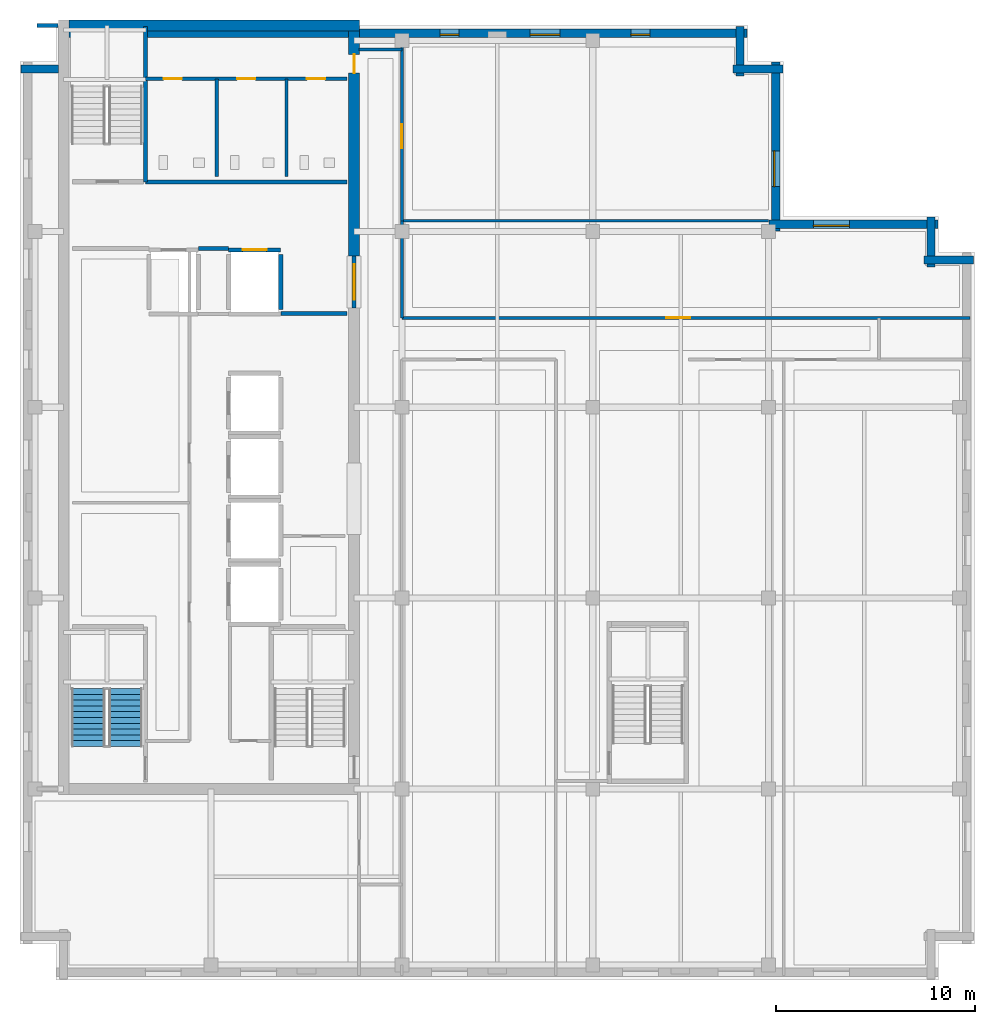
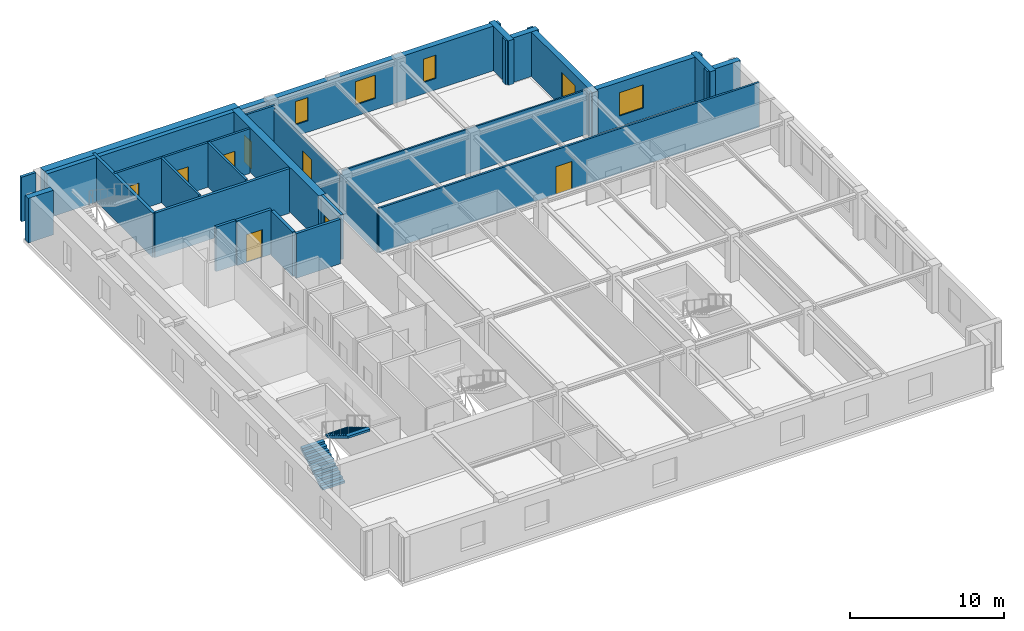
# One storey, part 5 of 11: 26 walls, 8 doors, 5 windows, 2 stair flights, 13 openings, 1 element without a shape of its own.
"""IFC4 building model written with IfcOpenShell, lengths in metres."""

from ifc_helpers import new_model, si_unit, direction, frame, frame_2d, origin, place, context, subcontext, project, spatial, polyline, rectangle, outline, extrude, material, layer, layer_set, type_object, element, fill, aggregate, save


model = new_model("IFC4")

# Units and contexts
model_context = context("Model", 3, precision=1e-05, world=origin(), true_north=direction((0.0, 1.0)))
body_context = subcontext(model_context, "Body", "Model", "MODEL_VIEW")
ifc_project = project(units=[si_unit("LENGTHUNIT", "METRE"), si_unit("AREAUNIT", "SQUARE_METRE"), si_unit("VOLUMEUNIT", "CUBIC_METRE"), si_unit("PLANEANGLEUNIT", "RADIAN"), si_unit("MASSUNIT", "GRAM", prefix="KILO")], contexts=[model_context])

# Site, building, storey
site_placement = place(None, origin())
site = spatial("IfcSite", under=ifc_project, at=site_placement, CompositionType="ELEMENT")
building_placement = place(site_placement, origin())
building = spatial("IfcBuilding", under=site, at=building_placement, Name="Norrvale University Quadrangle", CompositionType="ELEMENT")
storey_placement = place(building_placement, frame((0.0, 0.0, 300.0)))
storey = spatial("IfcBuildingStorey", under=building, at=storey_placement, Name="L76", CompositionType="ELEMENT", Elevation=300.0)

# Walls
ifc_material_1 = material(Name="Buff Norman Clay Brick Masonry", Category="masonry")
ifc_layer_1 = layer(ifc_material_1, 0.419921875, Name="Buff Norman Clay Brick Masonry")
ifc_layer_set_1 = layer_set([ifc_layer_1], Name="Buff Norman Clay Brick Masonry")
wall_type_1 = type_object("IfcWallType", Name="Wall Buff Brick 420", PredefinedType="SOLIDWALL", material=ifc_layer_set_1)
for number, where, z_axis, x_axis, name in (
    (1, (47.9599609375, 36.2099609375, 0.0), (0.0, 0.0, 1.0), (-1.0, 0.0, 0.0), "Exterior Brick Facade Wall L76-05.1"),
    (2, (45.81005859375, 35.860107421875, 0.0), (0.0, 0.0, 1.0), (0.0, 1.0, 0.0), "Exterior Brick Facade Wall L76-06.1"),
):
    element("IfcWall", number, at=place(storey_placement, frame(where, z_axis=z_axis, x_axis=x_axis)), inside=storey, type_object=wall_type_1, Name=name, PredefinedType="SOLIDWALL", context=body_context, shape_type="SweptSolid", body=[
        extrude(rectangle(XDim=2.5, YDim=0.419921875, at=frame_2d((1.25, 0.0))), origin(), (0.0, 0.0, 1.0), 3.5400390625),
    ])

# Wall, opening, window
wall_1_placement = place(storey_placement, frame((46.159912109375, 38.010009765625, 0.0), z_axis=(0.0, 0.0, 1.0), x_axis=(-1.0, 0.0, 0.0)))
wall_1 = element("IfcWall", 3, at=wall_1_placement, inside=storey, type_object=wall_type_1, Name="Exterior Brick Facade Wall L76-07.1", PredefinedType="SOLIDWALL", context=body_context, shape_type="SweptSolid", body=[
    extrude(rectangle(XDim=8.5, YDim=0.419921875, at=frame_2d((4.25, 0.0))), origin(), (0.0, 0.0, 1.0), 3.5400390625),
])
opening_1_placement = place(wall_1_placement, frame((4.4599609375, 0.0, 0.85009765625)))
opening_1 = element("IfcOpeningElement", 4, at=opening_1_placement, cuts=wall_1, Name="Opening W01", PredefinedType="OPENING", context=body_context, shape_type="SweptSolid", body=[
    extrude(rectangle(XDim=1.800048828125, YDim=1.85009765625, at=frame_2d((0.89990234375, 0.925048828125))), frame((0.0, 0.221923828125, 0.0), z_axis=(0.0, -1.0, 0.0), x_axis=(1.0, 0.0, 0.0)), (0.0, 0.0, 1.0), 0.44384765625),
])
ifc_material_2 = material(Name="Triple Low-E Argon Glazing", Category="glass")
window_type_1 = type_object("IfcWindowType", Name="Window Academic 1800x2300", PartitioningType="DOUBLE_PANEL_VERTICAL", PredefinedType="WINDOW", material=ifc_material_2)
window_1_placement = place(opening_1_placement, origin())
window_1 = element("IfcWindow", 5, at=window_1_placement, inside=storey, type_object=window_type_1, Name="Window Academic 1800x2300 WIN-L76-E07-1-01", OverallHeight=1.85009765625, OverallWidth=1.800048828125, PartitioningType="DOUBLE_PANEL_VERTICAL", PredefinedType="WINDOW", context=body_context, shape_type="SweptSolid", body=[
    extrude(rectangle(XDim=1.800048828125, YDim=1.85009765625, at=frame_2d((0.89990234375, 0.925048828125))), frame((0.0, 0.110107421875, 0.0), z_axis=(0.0, -1.0, 0.0), x_axis=(1.0, 0.0, 0.0)), (0.0, 0.0, 1.0), 0.06005859375),
])
fill(opening_1, window_1)

wall_2_placement = place(storey_placement, frame((38.010009765625, 37.659912109375, 0.0), z_axis=(0.0, 0.0, 1.0), x_axis=(0.0, 1.0, 0.0)))
wall_2 = element("IfcWall", 6, at=wall_2_placement, inside=storey, type_object=wall_type_1, Name="Exterior Brick Facade Wall L76-08.1", PredefinedType="SOLIDWALL", context=body_context, shape_type="SweptSolid", body=[
    extrude(rectangle(XDim=8.5, YDim=0.419921875, at=frame_2d((4.25, 0.0))), origin(), (0.0, 0.0, 1.0), 3.5400390625),
])
opening_2_placement = place(wall_2_placement, frame((2.239990234375, 0.0, 0.85009765625)))
opening_2 = element("IfcOpeningElement", 7, at=opening_2_placement, cuts=wall_2, Name="Opening W01", PredefinedType="OPENING", context=body_context, shape_type="SweptSolid", body=[
    extrude(rectangle(XDim=1.800048828125, YDim=1.85009765625, at=frame_2d((0.89990234375, 0.925048828125))), frame((0.0, 0.221923828125, 0.0), z_axis=(0.0, -1.0, 0.0), x_axis=(1.0, 0.0, 0.0)), (0.0, 0.0, 1.0), 0.44384765625),
])
window_2_placement = place(opening_2_placement, origin())
window_2 = element("IfcWindow", 8, at=window_2_placement, inside=storey, type_object=window_type_1, Name="Window Academic 1800x2300 WIN-L76-E08-1-01", OverallHeight=1.85009765625, OverallWidth=1.800048828125, PartitioningType="DOUBLE_PANEL_VERTICAL", PredefinedType="WINDOW", context=body_context, shape_type="SweptSolid", body=[
    extrude(rectangle(XDim=1.800048828125, YDim=1.85009765625, at=frame_2d((0.89990234375, 0.925048828125))), frame((0.0, 0.110107421875, 0.0), z_axis=(0.0, -1.0, 0.0), x_axis=(1.0, 0.0, 0.0)), (0.0, 0.0, 1.0), 0.06005859375),
])
fill(opening_2, window_2)

# Walls
for number, where, z_axis, x_axis, name in (
    (9, (38.360107421875, 45.81005859375, 0.0), (0.0, 0.0, 1.0), (-1.0, 0.0, 0.0), "Exterior Brick Facade Wall L76-09.1"),
    (10, (36.2099609375, 45.4599609375, 0.0), (0.0, 0.0, 1.0), (0.0, 1.0, 0.0), "Exterior Brick Facade Wall L76-10.1"),
):
    element("IfcWall", number, at=place(storey_placement, frame(where, z_axis=z_axis, x_axis=x_axis)), inside=storey, type_object=wall_type_1, Name=name, PredefinedType="SOLIDWALL", context=body_context, shape_type="SweptSolid", body=[
        extrude(rectangle(XDim=2.5, YDim=0.419921875, at=frame_2d((1.25, 0.0))), origin(), (0.0, 0.0, 1.0), 3.5400390625),
    ])

# Wall, openings, windows
wall_3_placement = place(storey_placement, frame((36.56005859375, 47.610107421875, 0.0), z_axis=(0.0, 0.0, 1.0), x_axis=(-1.0, 0.0, 0.0)))
wall_3 = element("IfcWall", 11, at=wall_3_placement, inside=storey, type_object=wall_type_1, Name="Exterior Brick Facade Wall L76-11.1", PredefinedType="SOLIDWALL", context=body_context, shape_type="SweptSolid", body=[
    extrude(rectangle(XDim=34.0849609375, YDim=0.419921875, at=frame_2d((17.04248046875, 0.0))), origin(), (0.0, 0.0, 1.0), 3.5400390625),
])
opening_3_placement = place(wall_3_placement, frame((4.885009765625, 0.0, 0.89990234375)))
opening_3 = element("IfcOpeningElement", 12, at=opening_3_placement, cuts=wall_3, Name="Opening W04", PredefinedType="OPENING", context=body_context, shape_type="SweptSolid", body=[
    extrude(rectangle(XDim=0.949951171875, YDim=1.85009765625, at=frame_2d((0.47509765625, 0.925048828125))), frame((0.0, 0.221923828125, 0.0), z_axis=(0.0, -1.0, 0.0), x_axis=(1.0, 0.0, 0.0)), (0.0, 0.0, 1.0), 0.44384765625),
])
opening_4_placement = place(wall_3_placement, frame((9.409912109375, 0.0, 0.89990234375)))
opening_4 = element("IfcOpeningElement", 13, at=opening_4_placement, cuts=wall_3, Name="Opening W03", PredefinedType="OPENING", context=body_context, shape_type="SweptSolid", body=[
    extrude(rectangle(XDim=1.5, YDim=1.85009765625, at=frame_2d((0.75, 0.925048828125))), frame((0.0, 0.221923828125, 0.0), z_axis=(0.0, -1.0, 0.0), x_axis=(1.0, 0.0, 0.0)), (0.0, 0.0, 1.0), 0.44384765625),
])
opening_5_placement = place(wall_3_placement, frame((14.485107421875, 0.0, 0.89990234375)))
opening_5 = element("IfcOpeningElement", 14, at=opening_5_placement, cuts=wall_3, Name="Opening W04", PredefinedType="OPENING", context=body_context, shape_type="SweptSolid", body=[
    extrude(rectangle(XDim=0.949951171875, YDim=1.85009765625, at=frame_2d((0.47509765625, 0.925048828125))), frame((0.0, 0.221923828125, 0.0), z_axis=(0.0, -1.0, 0.0), x_axis=(1.0, 0.0, 0.0)), (0.0, 0.0, 1.0), 0.44384765625),
])
window_type_2 = type_object("IfcWindowType", Name="Window Narrow Pier 950x2300", PartitioningType="SINGLE_PANEL", PredefinedType="WINDOW", material=ifc_material_2)
window_3_placement = place(opening_3_placement, origin())
window_3 = element("IfcWindow", 15, at=window_3_placement, inside=storey, type_object=window_type_2, Name="Window Narrow Pier 950x2300 WIN-L76-E11-1-01", OverallHeight=1.85009765625, OverallWidth=0.949951171875, PartitioningType="SINGLE_PANEL", PredefinedType="WINDOW", context=body_context, shape_type="SweptSolid", body=[
    extrude(rectangle(XDim=0.949951171875, YDim=1.85009765625, at=frame_2d((0.47509765625, 0.925048828125))), frame((0.0, 0.110107421875, 0.0), z_axis=(0.0, -1.0, 0.0), x_axis=(1.0, 0.0, 0.0)), (0.0, 0.0, 1.0), 0.06005859375),
])
fill(opening_3, window_3)
window_4_placement = place(opening_5_placement, origin())
window_4 = element("IfcWindow", 16, at=window_4_placement, inside=storey, type_object=window_type_2, Name="Window Narrow Pier 950x2300 WIN-L76-E11-1-03", OverallHeight=1.85009765625, OverallWidth=0.949951171875, PartitioningType="SINGLE_PANEL", PredefinedType="WINDOW", context=body_context, shape_type="SweptSolid", body=[
    extrude(rectangle(XDim=0.949951171875, YDim=1.85009765625, at=frame_2d((0.47509765625, 0.925048828125))), frame((0.0, 0.110107421875, 0.0), z_axis=(0.0, -1.0, 0.0), x_axis=(1.0, 0.0, 0.0)), (0.0, 0.0, 1.0), 0.06005859375),
])
fill(opening_5, window_4)
window_type_3 = type_object("IfcWindowType", Name="Window Studio 1500x2300", PartitioningType="DOUBLE_PANEL_VERTICAL", PredefinedType="WINDOW", material=ifc_material_2)
window_5_placement = place(opening_4_placement, origin())
window_5 = element("IfcWindow", 17, at=window_5_placement, inside=storey, type_object=window_type_3, Name="Window Studio 1500x2300 WIN-L76-E11-1-02", OverallHeight=1.85009765625, OverallWidth=1.5, PartitioningType="DOUBLE_PANEL_VERTICAL", PredefinedType="WINDOW", context=body_context, shape_type="SweptSolid", body=[
    extrude(rectangle(XDim=1.5, YDim=1.85009765625, at=frame_2d((0.75, 0.925048828125))), frame((0.0, 0.110107421875, 0.0), z_axis=(0.0, -1.0, 0.0), x_axis=(1.0, 0.0, 0.0)), (0.0, 0.0, 1.0), 0.06005859375),
])
fill(opening_4, window_5)

# Walls
wall_4_placement = place(storey_placement, frame((1.925048828125, 45.81005859375, 0.0), z_axis=(0.0, 0.0, 1.0), x_axis=(-1.0, 0.0, 0.0)))
element("IfcWall", 18, at=wall_4_placement, inside=storey, type_object=wall_type_1, Name="Exterior Brick Facade Wall L76-13.1", PredefinedType="SOLIDWALL", context=body_context, shape_type="SweptSolid", body=[
    extrude(rectangle(XDim=1.885009765625, YDim=0.419921875, at=frame_2d((0.9423828125, 0.0))), origin(), (0.0, 0.0, 1.0), 3.5400390625),
])
ifc_material_3 = material(Name="Concrete C60/75", Category="concrete")
ifc_layer_2 = layer(ifc_material_3, 0.550048828125, Name="Concrete C60/75")
ifc_layer_set_2 = layer_set([ifc_layer_2], Name="Concrete C60/75")
wall_type_2 = type_object("IfcWallType", Name="Wall Core 550", PredefinedType="SHEAR", material=ifc_layer_set_2)
wall_5_placement = place(storey_placement, frame((2.47509765625, 48.0, 0.0), z_axis=(0.0, 0.0, 1.0), x_axis=(1.0, 0.0, 0.0)))
element("IfcWall", 19, at=wall_5_placement, inside=storey, type_object=wall_type_2, Name="Tower Core Shear Wall L76-N", PredefinedType="SHEAR", context=body_context, shape_type="SweptSolid", body=[
    extrude(rectangle(XDim=14.599853515625, YDim=0.550048828125, at=frame_2d((7.2998046875, 0.0))), origin(), (0.0, 0.0, 1.0), 3.5400390625),
])

# Wall, opening, door
wall_6_placement = place(storey_placement, frame((16.800048828125, 36.39990234375, 0.0), z_axis=(0.0, 0.0, 1.0), x_axis=(0.0, 1.0, 0.0)))
wall_6 = element("IfcWall", 20, at=wall_6_placement, inside=storey, type_object=wall_type_2, Name="Tower Core Shear Wall L76-E3", PredefinedType="SHEAR", context=body_context, shape_type="SweptSolid", body=[
    extrude(rectangle(XDim=11.3251953125, YDim=0.550048828125, at=frame_2d((5.66259765625, 0.0))), origin(), (0.0, 0.0, 1.0), 3.5400390625),
])
opening_6_placement = place(wall_6_placement, frame((9.199951171875, 0.0, 0.0)))
opening_6 = element("IfcOpeningElement", 21, at=opening_6_placement, cuts=wall_6, Name="Opening D07", PredefinedType="OPENING", context=body_context, shape_type="SweptSolid", body=[
    extrude(rectangle(XDim=0.949951171875, YDim=2.14990234375, at=frame_2d((0.47509765625, 1.074951171875))), frame((0.0, 0.287109375, 0.0), z_axis=(0.0, -1.0, 0.0), x_axis=(1.0, 0.0, 0.0)), (0.0, 0.0, 1.0), 0.573974609375),
])
ifc_material_4 = material(Name="Solid-Core Maple Door", Category="wood")
door_type_1 = type_object("IfcDoorType", Name="Door Office 950x2150", OperationType="NOTDEFINED", PredefinedType="DOOR", material=ifc_material_4)
door_1_placement = place(opening_6_placement, origin())
door_1 = element("IfcDoor", 22, at=door_1_placement, inside=storey, type_object=door_type_1, Name="Door Office 950x2150 DR-L76-NECORR", OperationType="SINGLE_SWING_LEFT", OverallHeight=2.14990234375, OverallWidth=0.949951171875, PredefinedType="DOOR", context=body_context, shape_type="SweptSolid", body=[
    extrude(rectangle(XDim=0.949951171875, YDim=2.14990234375, at=frame_2d((0.47509765625, 1.074951171875))), frame((0.0, 0.02490234375, 0.0), z_axis=(0.0, -1.0, 0.0), x_axis=(1.0, 0.0, 0.0)), (0.0, 0.0, 1.0), 0.050048828125),
])
fill(opening_6, door_1)

# Walls
ifc_material_5 = material(Name="Standard Academic Gypsum Partition")
ifc_layer_3 = layer(ifc_material_5, 0.125, Name="Standard Academic Gypsum Partition")
ifc_layer_set_3 = layer_set([ifc_layer_3], Name="Standard Academic Gypsum Partition")
wall_type_3 = type_object("IfcWallType", Name="Wall Gypsum Academic 125", PredefinedType="PARTITIONING", material=ifc_layer_set_3)
wall_7_placement = place(storey_placement, frame((19.280029296875, 38.179931640625, 0.0), z_axis=(0.0, 0.0, 1.0), x_axis=(1.0, 0.0, 0.0)))
element("IfcWall", 23, at=wall_7_placement, inside=storey, type_object=wall_type_3, Name="Interior Partition WL-L76-ME-N", PredefinedType="PARTITIONING", context=body_context, shape_type="SweptSolid", body=[
    extrude(rectangle(XDim=18.369873046875, YDim=0.125, at=frame_2d((9.18505859375, 0.0))), origin(), (0.0, 0.0, 1.0), 3.5400390625),
])
ifc_material_6 = material(Name="Fire-Rated Gypsum Stud Partition")
ifc_layer_4 = layer(ifc_material_6, 0.14990234375, Name="Fire-Rated Gypsum Stud Partition")
ifc_layer_set_4 = layer_set([ifc_layer_4], Name="Fire-Rated Gypsum Stud Partition")
wall_type_4 = type_object("IfcWallType", Name="Wall Gypsum Corridor 150", PredefinedType="PARTITIONING", material=ifc_layer_set_4)
wall_8_placement = place(storey_placement, frame((17.050048828125, 46.800048828125, 0.0), z_axis=(0.0, 0.0, 1.0), x_axis=(1.0, 0.0, 0.0)))
element("IfcWall", 24, at=wall_8_placement, inside=storey, type_object=wall_type_4, Name="Interior Partition WL-L76-CSP-N", PredefinedType="PARTITIONING", context=body_context, shape_type="SweptSolid", body=[
    extrude(rectangle(XDim=2.14990234375, YDim=0.14990234375, at=frame_2d((1.074951171875, 0.0))), origin(), (0.0, 0.0, 1.0), 3.5400390625),
])

# Wall, opening, door
wall_9_placement = place(storey_placement, frame((19.199951171875, 33.300048828125, 0.0), z_axis=(0.0, 0.0, 1.0), x_axis=(1.0, 0.0, 0.0)))
wall_9 = element("IfcWall", 25, at=wall_9_placement, inside=storey, type_object=wall_type_4, Name="Interior Partition WL-L76-MECW", PredefinedType="PARTITIONING", context=body_context, shape_type="SweptSolid", body=[
    extrude(rectangle(XDim=28.580078125, YDim=0.14990234375, at=frame_2d((14.2900390625, 0.0))), origin(), (0.0, 0.0, 1.0), 3.5400390625),
])
opening_7_placement = place(wall_9_placement, frame((13.300048828125, 0.0, 0.0)))
opening_7 = element("IfcOpeningElement", 26, at=opening_7_placement, cuts=wall_9, Name="Opening D05", PredefinedType="OPENING", context=body_context, shape_type="SweptSolid", body=[
    extrude(rectangle(XDim=1.199951171875, YDim=2.199951171875, at=frame_2d((0.60009765625, 1.10009765625))), frame((0.0, 0.0869140625, 0.0), z_axis=(0.0, -1.0, 0.0), x_axis=(1.0, 0.0, 0.0)), (0.0, 0.0, 1.0), 0.173828125),
])
ifc_material_7 = material(Name="Acoustic Oak Classroom Door", Category="wood")
door_type_2 = type_object("IfcDoorType", Name="Door Classroom 1200x2200", OperationType="NOTDEFINED", PredefinedType="DOOR", material=ifc_material_7)
door_2_placement = place(opening_7_placement, origin())
door_2 = element("IfcDoor", 27, at=door_2_placement, inside=storey, type_object=door_type_2, Name="Door Classroom 1200x2200 DR-L76-ME01", OperationType="SINGLE_SWING_LEFT", OverallHeight=2.199951171875, OverallWidth=1.199951171875, PredefinedType="DOOR", context=body_context, shape_type="SweptSolid", body=[
    extrude(rectangle(XDim=1.199951171875, YDim=2.199951171875, at=frame_2d((0.60009765625, 1.10009765625))), frame((0.0, 0.02490234375, 0.0), z_axis=(0.0, -1.0, 0.0), x_axis=(1.0, 0.0, 0.0)), (0.0, 0.0, 1.0), 0.050048828125),
])
fill(opening_7, door_2)

# Wall
wall_10_placement = place(storey_placement, frame((19.199951171875, 33.300048828125, 0.0), z_axis=(0.0, 0.0, 1.0), x_axis=(0.0, 1.0, 0.0)))
element("IfcWall", 28, at=wall_10_placement, inside=storey, type_object=wall_type_4, Name="Interior Partition WL-L76-ME-W", PredefinedType="PARTITIONING", context=body_context, shape_type="SweptSolid", body=[
    extrude(rectangle(XDim=4.8798828125, YDim=0.14990234375, at=frame_2d((2.43994140625, 0.0))), origin(), (0.0, 0.0, 1.0), 3.23193359375),
])

# Wall, opening, door
wall_11_placement = place(storey_placement, frame((19.199951171875, 38.179931640625, 0.0), z_axis=(0.0, 0.0, 1.0), x_axis=(0.0, 1.0, 0.0)))
wall_11 = element("IfcWall", 29, at=wall_11_placement, inside=storey, type_object=wall_type_4, Name="Interior Partition WL-L76-NECW", PredefinedType="PARTITIONING", context=body_context, shape_type="SweptSolid", body=[
    extrude(rectangle(XDim=9.27001953125, YDim=0.14990234375, at=frame_2d((4.635009765625, 0.0))), origin(), (0.0, 0.0, 1.0), 3.23193359375),
])
opening_8_placement = place(wall_11_placement, frame((3.64990234375, 0.0, 0.0)))
opening_8 = element("IfcOpeningElement", 30, at=opening_8_placement, cuts=wall_11, Name="Opening D05", PredefinedType="OPENING", context=body_context, shape_type="SweptSolid", body=[
    extrude(rectangle(XDim=1.199951171875, YDim=2.199951171875, at=frame_2d((0.60009765625, 1.10009765625))), frame((0.0, 0.0869140625, 0.0), z_axis=(0.0, -1.0, 0.0), x_axis=(1.0, 0.0, 0.0)), (0.0, 0.0, 1.0), 0.173828125),
])
door_3_placement = place(opening_8_placement, origin())
door_3 = element("IfcDoor", 31, at=door_3_placement, inside=storey, type_object=door_type_2, Name="Door Classroom 1200x2200 DR-L76-NE01", OperationType="SINGLE_SWING_RIGHT", OverallHeight=2.199951171875, OverallWidth=1.199951171875, PredefinedType="DOOR", context=body_context, shape_type="SweptSolid", body=[
    extrude(rectangle(XDim=1.199951171875, YDim=2.199951171875, at=frame_2d((0.60009765625, 1.10009765625))), frame((0.0, 0.02490234375, 0.0), z_axis=(0.0, -1.0, 0.0), x_axis=(1.0, 0.0, 0.0)), (0.0, 0.0, 1.0), 0.050048828125),
])
fill(opening_8, door_3)

# Wall, openings, doors
ifc_material_8 = material(Name="Sanitary Chase Gypsum Partition")
ifc_layer_5 = layer(ifc_material_8, 0.1650390625, Name="Sanitary Chase Gypsum Partition")
ifc_layer_set_5 = layer_set([ifc_layer_5], Name="Sanitary Chase Gypsum Partition")
wall_type_5 = type_object("IfcWallType", Name="Wall Gypsum Sanitary 165", PredefinedType="PLUMBINGWALL", material=ifc_layer_set_5)
wall_12_placement = place(storey_placement, frame((6.320068359375, 45.320068359375, 0.0), z_axis=(0.0, 0.0, 1.0), x_axis=(1.0, 0.0, 0.0)))
wall_12 = element("IfcWall", 32, at=wall_12_placement, inside=storey, type_object=wall_type_5, Name="Interior Partition WL-L76-WCN", PredefinedType="PLUMBINGWALL", context=body_context, shape_type="SweptSolid", body=[
    extrude(rectangle(XDim=10.1298828125, YDim=0.1650390625, at=frame_2d((5.06494140625, 0.0))), origin(), (0.0, 0.0, 1.0), 3.5400390625),
])
opening_9_placement = place(wall_12_placement, frame((0.89990234375, 0.0, 0.0)))
opening_9 = element("IfcOpeningElement", 33, at=opening_9_placement, cuts=wall_12, Name="Opening D08", PredefinedType="OPENING", context=body_context, shape_type="SweptSolid", body=[
    extrude(rectangle(XDim=0.919921875, YDim=2.14990234375, at=frame_2d((0.4599609375, 1.074951171875))), frame((0.0, 0.094482421875, 0.0), z_axis=(0.0, -1.0, 0.0), x_axis=(1.0, 0.0, 0.0)), (0.0, 0.0, 1.0), 0.18896484375),
])
opening_10_placement = place(wall_12_placement, frame((4.60009765625, 0.0, 0.0)))
opening_10 = element("IfcOpeningElement", 34, at=opening_10_placement, cuts=wall_12, Name="Opening D08", PredefinedType="OPENING", context=body_context, shape_type="SweptSolid", body=[
    extrude(rectangle(XDim=0.919921875, YDim=2.14990234375, at=frame_2d((0.4599609375, 1.074951171875))), frame((0.0, 0.094482421875, 0.0), z_axis=(0.0, -1.0, 0.0), x_axis=(1.0, 0.0, 0.0)), (0.0, 0.0, 1.0), 0.18896484375),
])
opening_11_placement = place(wall_12_placement, frame((8.10009765625, 0.0, 0.0)))
opening_11 = element("IfcOpeningElement", 35, at=opening_11_placement, cuts=wall_12, Name="Opening D08", PredefinedType="OPENING", context=body_context, shape_type="SweptSolid", body=[
    extrude(rectangle(XDim=0.919921875, YDim=2.14990234375, at=frame_2d((0.4599609375, 1.074951171875))), frame((0.0, 0.094482421875, 0.0), z_axis=(0.0, -1.0, 0.0), x_axis=(1.0, 0.0, 0.0)), (0.0, 0.0, 1.0), 0.18896484375),
])
ifc_material_9 = material(Name="Laminate Washroom Door", Category="wood")
door_type_3 = type_object("IfcDoorType", Name="Door Washroom 920x2150", OperationType="NOTDEFINED", PredefinedType="DOOR", material=ifc_material_9)
door_4_placement = place(opening_9_placement, origin())
door_4 = element("IfcDoor", 36, at=door_4_placement, inside=storey, type_object=door_type_3, Name="Door Washroom 920x2150 DR-L76-WC1", OperationType="SINGLE_SWING_LEFT", OverallHeight=2.14990234375, OverallWidth=0.919921875, PredefinedType="DOOR", context=body_context, shape_type="SweptSolid", body=[
    extrude(rectangle(XDim=0.919921875, YDim=2.14990234375, at=frame_2d((0.4599609375, 1.074951171875))), frame((0.0, 0.02490234375, 0.0), z_axis=(0.0, -1.0, 0.0), x_axis=(1.0, 0.0, 0.0)), (0.0, 0.0, 1.0), 0.050048828125),
])
fill(opening_9, door_4)
door_5_placement = place(opening_10_placement, origin())
door_5 = element("IfcDoor", 37, at=door_5_placement, inside=storey, type_object=door_type_3, Name="Door Washroom 920x2150 DR-L76-WC2", OperationType="SINGLE_SWING_RIGHT", OverallHeight=2.14990234375, OverallWidth=0.919921875, PredefinedType="DOOR", context=body_context, shape_type="SweptSolid", body=[
    extrude(rectangle(XDim=0.919921875, YDim=2.14990234375, at=frame_2d((0.4599609375, 1.074951171875))), frame((0.0, 0.02490234375, 0.0), z_axis=(0.0, -1.0, 0.0), x_axis=(1.0, 0.0, 0.0)), (0.0, 0.0, 1.0), 0.050048828125),
])
fill(opening_10, door_5)
door_6_placement = place(opening_11_placement, origin())
door_6 = element("IfcDoor", 38, at=door_6_placement, inside=storey, type_object=door_type_3, Name="Door Washroom 920x2150 DR-L76-WC3", OperationType="SINGLE_SWING_LEFT", OverallHeight=2.14990234375, OverallWidth=0.919921875, PredefinedType="DOOR", context=body_context, shape_type="SweptSolid", body=[
    extrude(rectangle(XDim=0.919921875, YDim=2.14990234375, at=frame_2d((0.4599609375, 1.074951171875))), frame((0.0, 0.02490234375, 0.0), z_axis=(0.0, -1.0, 0.0), x_axis=(1.0, 0.0, 0.0)), (0.0, 0.0, 1.0), 0.050048828125),
])
fill(opening_11, door_6)

# Walls
for number, where, z_axis, x_axis, name in (
    (39, (9.89990234375, 40.39990234375, 0.0), (0.0, 0.0, 1.0), (0.0, 1.0, 0.0), "Interior Partition WL-L76-WCM1"),
    (40, (13.39990234375, 40.39990234375, 0.0), (0.0, 0.0, 1.0), (0.0, 1.0, 0.0), "Interior Partition WL-L76-WCM2"),
):
    element("IfcWall", number, at=place(storey_placement, frame(where, z_axis=z_axis, x_axis=x_axis)), inside=storey, type_object=wall_type_5, Name=name, PredefinedType="PLUMBINGWALL", context=body_context, shape_type="SweptSolid", body=[
        extrude(rectangle(XDim=4.920166015625, YDim=0.1650390625, at=frame_2d((2.4599609375, 0.0))), origin(), (0.0, 0.0, 1.0), 3.5400390625),
    ])
ifc_material_10 = material(Name="Concrete Blockwork 20 MPa Rated Wall", Category="masonry")
ifc_layer_6 = layer(ifc_material_10, 0.199951171875, Name="Concrete Blockwork 20 MPa Rated Wall")
ifc_layer_set_6 = layer_set([ifc_layer_6], Name="Concrete Blockwork 20 MPa Rated Wall")
wall_type_6 = type_object("IfcWallType", Name="Wall Lobby 200", PredefinedType="SOLIDWALL", material=ifc_layer_set_6)
wall_13_placement = place(storey_placement, frame((8.969970703125, 36.780029296875, 0.0), z_axis=(0.0, 0.0, 1.0), x_axis=(1.0, 0.0, 0.0)))
element("IfcWall", 41, at=wall_13_placement, inside=storey, type_object=wall_type_6, Name="Interior Partition WL-L76-FF2", PredefinedType="SOLIDWALL", context=body_context, shape_type="SweptSolid", body=[
    extrude(rectangle(XDim=1.510009765625, YDim=0.199951171875, at=frame_2d((0.7548828125, 0.0))), origin(), (0.0, 0.0, 1.0), 3.5400390625),
])
wall_14_placement = place(storey_placement, frame((13.1201171875, 33.52001953125, 0.0), z_axis=(0.0, 0.0, 1.0), x_axis=(1.0, 0.0, 0.0)))
element("IfcWall", 42, at=wall_14_placement, inside=storey, type_object=wall_type_6, Name="Interior Partition WL-L76-FF3", PredefinedType="SOLIDWALL", context=body_context, shape_type="SweptSolid", body=[
    extrude(rectangle(XDim=3.329833984375, YDim=0.199951171875, at=frame_2d((1.6650390625, 0.0))), origin(), (0.0, 0.0, 1.0), 3.5400390625),
])
wall_15_placement = place(storey_placement, frame((6.320068359375, 40.139892578125, 0.0), z_axis=(0.0, 0.0, 1.0), x_axis=(1.0, 0.0, 0.0)))
element("IfcWall", 43, at=wall_15_placement, inside=storey, type_object=wall_type_6, Name="Interior Partition WL-L76-FF4", PredefinedType="SOLIDWALL", context=body_context, shape_type="SweptSolid", body=[
    extrude(rectangle(XDim=10.1298828125, YDim=0.199951171875, at=frame_2d((5.06494140625, 0.0))), origin(), (0.0, 0.0, 1.0), 3.5400390625),
])

# Wall, opening, door
wall_16_placement = place(storey_placement, frame((16.800048828125, 33.800048828125, 0.0), z_axis=(0.0, 0.0, 1.0), x_axis=(0.0, 1.0, 0.0)))
wall_16 = element("IfcWall", 44, at=wall_16_placement, inside=storey, type_object=wall_type_6, Name="Interior Partition WL-L76-FFP", PredefinedType="SOLIDWALL", context=body_context, shape_type="SweptSolid", body=[
    extrude(rectangle(XDim=2.599853515625, YDim=0.199951171875, at=frame_2d((1.2998046875, 0.0))), origin(), (0.0, 0.0, 1.0), 3.5400390625),
])
opening_12_placement = place(wall_16_placement, frame((0.39990234375, 0.0, 0.0)))
opening_12 = element("IfcOpeningElement", 45, at=opening_12_placement, cuts=wall_16, Name="Opening D03", PredefinedType="OPENING", context=body_context, shape_type="SweptSolid", body=[
    extrude(rectangle(XDim=1.800048828125, YDim=2.199951171875, at=frame_2d((0.89990234375, 1.10009765625))), frame((0.0, 0.112060546875, 0.0), z_axis=(0.0, -1.0, 0.0), x_axis=(1.0, 0.0, 0.0)), (0.0, 0.0, 1.0), 0.223876953125),
])
ifc_material_11 = material(Name="Hollow Steel 350W Fire Door", Category="steel")
door_type_4 = type_object("IfcDoorType", Name="Door Fire Lobby 1800x2200", OperationType="DOUBLE_DOOR_SINGLE_SWING", PredefinedType="DOOR", material=ifc_material_11)
door_7_placement = place(opening_12_placement, origin())
door_7 = element("IfcDoor", 46, at=door_7_placement, inside=storey, type_object=door_type_4, Name="Door Fire Lobby 1800x2200 DR-L76-FFP", OperationType="DOUBLE_DOOR_SINGLE_SWING", OverallHeight=2.199951171875, OverallWidth=1.800048828125, PredefinedType="DOOR", context=body_context, shape_type="SweptSolid", body=[
    extrude(rectangle(XDim=1.800048828125, YDim=2.199951171875, at=frame_2d((0.89990234375, 1.10009765625))), frame((0.0, 0.02490234375, 0.0), z_axis=(0.0, -1.0, 0.0), x_axis=(1.0, 0.0, 0.0)), (0.0, 0.0, 1.0), 0.050048828125),
])
fill(opening_12, door_7)

# Walls
wall_17_placement = place(storey_placement, frame((0.85009765625, 48.0, 0.0), z_axis=(0.0, 0.0, 1.0), x_axis=(1.0, 0.0, 0.0)))
element("IfcWall", 47, at=wall_17_placement, inside=storey, type_object=wall_type_6, Name="Interior Partition WL-L76-CWRET-N", PredefinedType="SOLIDWALL", context=body_context, shape_type="SweptSolid", body=[
    extrude(rectangle(XDim=1.06982421875, YDim=0.199951171875, at=frame_2d((0.534912109375, 0.0))), origin(), (0.0, 0.0, 1.0), 3.5400390625),
])
ifc_material_12 = material(Name="Concrete Blockwork 20 MPa Fire Shaft", Category="masonry")
ifc_layer_7 = layer(ifc_material_12, 0.219970703125, Name="Concrete Blockwork 20 MPa Fire Shaft")
ifc_layer_set_7 = layer_set([ifc_layer_7], Name="Concrete Blockwork 20 MPa Fire Shaft")
wall_type_7 = type_object("IfcWallType", Name="Wall Shaft 220", PredefinedType="SOLIDWALL", material=ifc_layer_set_7)
wall_18_placement = place(storey_placement, frame((6.31005859375, 40.139892578125, 0.0), z_axis=(0.0, 0.0, 1.0), x_axis=(0.0, 1.0, 0.0)))
element("IfcWall", 48, at=wall_18_placement, inside=storey, type_object=wall_type_7, Name="Stair ST-02 East Shaft Wall L76", PredefinedType="SOLIDWALL", context=body_context, shape_type="SweptSolid", body=[
    extrude(rectangle(XDim=7.81005859375, YDim=0.219970703125, at=frame_2d((3.905029296875, 0.0))), origin(), (0.0, 0.0, 1.0), 3.5400390625),
])
wall_19_placement = place(storey_placement, frame((13.110107421875, 33.7099609375, 0.0), z_axis=(0.0, 0.0, 1.0), x_axis=(0.0, 1.0, 0.0)))
element("IfcWall", 49, at=wall_19_placement, inside=storey, type_object=wall_type_7, Name="Hoistway FFL-02 East Wall L76", PredefinedType="SOLIDWALL", context=body_context, shape_type="SweptSolid", body=[
    extrude(rectangle(XDim=2.780029296875, YDim=0.219970703125, at=frame_2d((1.39013671875, 0.0))), origin(), (0.0, 0.0, 1.0), 3.5400390625),
])

# Wall, opening, door
wall_20_placement = place(storey_placement, frame((10.489990234375, 36.7099609375, 0.0), z_axis=(0.0, 0.0, 1.0), x_axis=(1.0, 0.0, 0.0)))
wall_20 = element("IfcWall", 50, at=wall_20_placement, inside=storey, type_object=wall_type_7, Name="Hoistway FFL-02 North Wall L76", PredefinedType="SOLIDWALL", context=body_context, shape_type="SweptSolid", body=[
    extrude(rectangle(XDim=2.6201171875, YDim=0.219970703125, at=frame_2d((1.31005859375, 0.0))), origin(), (0.0, 0.0, 1.0), 3.5400390625),
])
opening_13_placement = place(wall_20_placement, frame((0.7099609375, 0.0, 0.0)))
opening_13 = element("IfcOpeningElement", 51, at=opening_13_placement, cuts=wall_20, Name="Opening LD2", PredefinedType="OPENING", context=body_context, shape_type="SweptSolid", body=[
    extrude(rectangle(XDim=1.199951171875, YDim=2.199951171875, at=frame_2d((0.60009765625, 1.10009765625))), frame((0.0, 0.1220703125, 0.0), z_axis=(0.0, -1.0, 0.0), x_axis=(1.0, 0.0, 0.0)), (0.0, 0.0, 1.0), 0.243896484375),
])
ifc_material_13 = material(Name="Stainless Steel 316L Firefighter Lift Door", Category="steel")
door_type_5 = type_object("IfcDoorType", Name="Door Fire Lift 1200x2200", OperationType="DOUBLE_DOOR_SLIDING", PredefinedType="DOOR", material=ifc_material_13)
door_8_placement = place(opening_13_placement, origin())
door_8 = element("IfcDoor", 52, at=door_8_placement, inside=storey, type_object=door_type_5, Name="Elevator Landing Door DR-L76-FFL-02", OperationType="DOUBLE_DOOR_SLIDING", OverallHeight=2.199951171875, OverallWidth=1.199951171875, PredefinedType="DOOR", context=body_context, shape_type="SweptSolid", body=[
    extrude(rectangle(XDim=1.199951171875, YDim=2.199951171875, at=frame_2d((0.60009765625, 1.10009765625))), frame((0.0, 0.02490234375, 0.0), z_axis=(0.0, -1.0, 0.0), x_axis=(1.0, 0.0, 0.0)), (0.0, 0.0, 1.0), 0.050048828125),
])
fill(opening_13, door_8)

# Stair, stair flights
ifc_material_14 = material(Name="Concrete C40/50", Category="concrete")
stair_type = type_object("IfcStairType", Name="Stair Tower Typ 3800", PredefinedType="TWO_STRAIGHT_RUN_STAIR", material=ifc_material_14)
stair_placement = place(storey_placement, origin())
stair = element("IfcStair", 53, at=stair_placement, inside=storey, type_object=stair_type, Name="Exit Stair ST-01 L76", PredefinedType="TWO_STRAIGHT_RUN_STAIR")
stair_flight_type = type_object("IfcStairFlightType", Name="Flight Typ 1500", PredefinedType="STRAIGHT", material=ifc_material_14)
stair_flight_1_placement = place(storey_placement, frame((3.429931640625, 11.75, 0.0), z_axis=(0.0, 0.0, 1.0), x_axis=(0.0, 1.0, 0.0)))
stair_flight_1 = element("IfcStairFlight", 54, at=stair_flight_1_placement, type_object=stair_flight_type, Name="Exit Stair ST-01 L76 Lower Flight", NumberOfRisers=11, NumberOfTreads=10, PredefinedType="STRAIGHT", RiserHeight=0.172727, TreadLength=0.29, context=body_context, shape_type="SweptSolid", body=[
    extrude(outline(polyline([(0.0, 0.0), (0.0, 0.172607421875), (0.2900390625, 0.172607421875), (0.2900390625, 0.345458984375), (0.580078125, 0.345458984375), (0.580078125, 0.51806640625), (0.8701171875, 0.51806640625), (0.8701171875, 0.69091796875), (1.159912109375, 0.69091796875), (1.159912109375, 0.863525390625), (1.449951171875, 0.863525390625), (1.449951171875, 1.036376953125), (1.739990234375, 1.036376953125), (1.739990234375, 1.208984375), (2.030029296875, 1.208984375), (2.030029296875, 1.3818359375), (2.320068359375, 1.3818359375), (2.320068359375, 1.554443359375), (2.610107421875, 1.554443359375), (2.610107421875, 1.727294921875), (2.89990234375, 1.727294921875), (2.89990234375, 1.89990234375), (2.89990234375, 1.552734375), (0.29296875, 0.0), (0.0, 0.0)])), frame((0.0, 0.83984375, 0.0), z_axis=(0.0, -1.0, 0.0), x_axis=(1.0, 0.0, 0.0)), (0.0, 0.0, 1.0), 1.679931640625),
])
stair_flight_2_placement = place(storey_placement, frame((5.320068359375, 14.64990234375, 1.89990234375), z_axis=(0.0, 0.0, 1.0), x_axis=(0.0, -1.0, 0.0)))
stair_flight_2 = element("IfcStairFlight", 55, at=stair_flight_2_placement, type_object=stair_flight_type, Name="Exit Stair ST-01 L76 Upper Flight", NumberOfRisers=11, NumberOfTreads=10, PredefinedType="STRAIGHT", RiserHeight=0.172727, TreadLength=0.29, context=body_context, shape_type="SweptSolid", body=[
    extrude(outline(polyline([(0.0, 0.0), (0.0, 0.172607421875), (0.2900390625, 0.172607421875), (0.2900390625, 0.345458984375), (0.580078125, 0.345458984375), (0.580078125, 0.51806640625), (0.8701171875, 0.51806640625), (0.8701171875, 0.69091796875), (1.159912109375, 0.69091796875), (1.159912109375, 0.863525390625), (1.449951171875, 0.863525390625), (1.449951171875, 1.036376953125), (1.739990234375, 1.036376953125), (1.739990234375, 1.208984375), (2.030029296875, 1.208984375), (2.030029296875, 1.3818359375), (2.320068359375, 1.3818359375), (2.320068359375, 1.554443359375), (2.610107421875, 1.554443359375), (2.610107421875, 1.727294921875), (2.89990234375, 1.727294921875), (2.89990234375, 1.89990234375), (2.89990234375, 1.552734375), (0.29296875, 0.0), (0.0, 0.0)])), frame((0.0, 0.83984375, 0.0), z_axis=(0.0, -1.0, 0.0), x_axis=(1.0, 0.0, 0.0)), (0.0, 0.0, 1.0), 1.679931640625),
])
aggregate(stair, [stair_flight_1, stair_flight_2])

save(model, "model.ifc")
